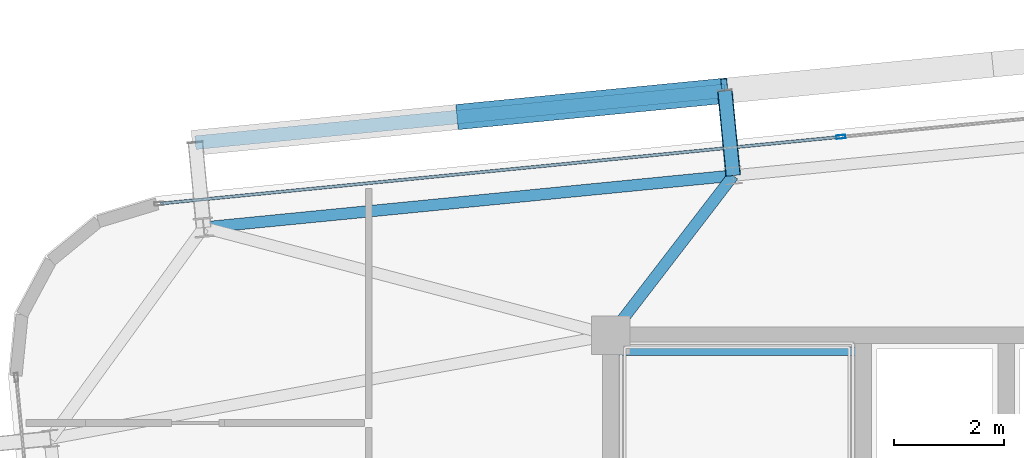
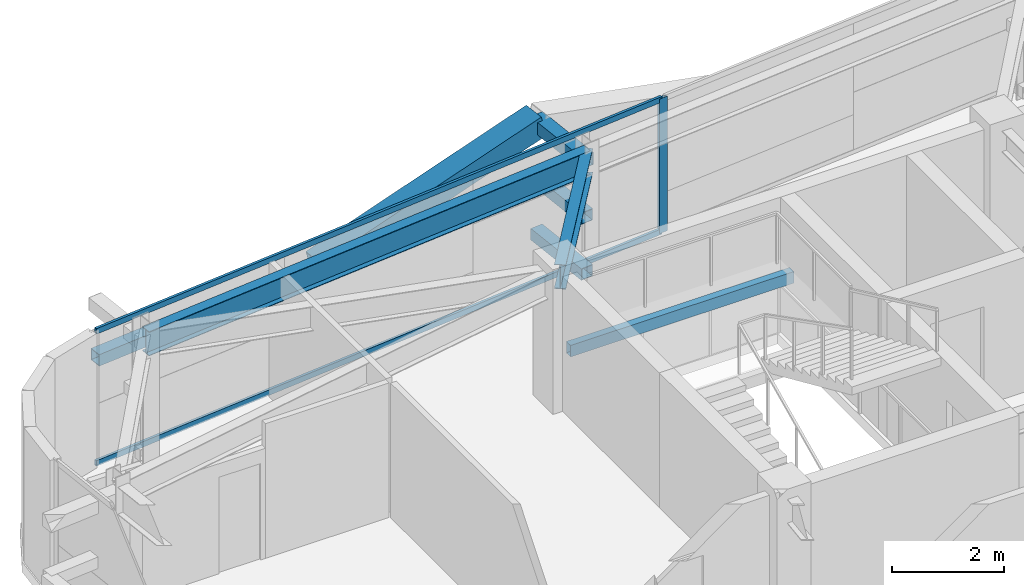
# One storey, part 25 of 47: 8 members, 3 beams, 1 element without a shape of its own.
"""IFC4 building model written with IfcOpenShell, lengths in metres."""

from ifc_helpers import new_model, si_unit, direction, frame, origin, origin_2d, place, context, subcontext, project, spatial, hollow_rectangle, i_section, extrude, source, transform, mapped, material, layer, layer_set, material_profile, profile_set, type_object, element, aggregate, save


model = new_model("IFC4")

# Units and contexts
model_context = context("Model", 3, precision=1e-05, world=origin(), true_north=direction((0.0, 1.0)))
body_context = subcontext(model_context, "Body", "Model", "MODEL_VIEW")
ifc_project = project(units=[si_unit("LENGTHUNIT", "METRE"), si_unit("AREAUNIT", "SQUARE_METRE"), si_unit("VOLUMEUNIT", "CUBIC_METRE"), si_unit("PLANEANGLEUNIT", "RADIAN"), si_unit("MASSUNIT", "GRAM", prefix="KILO")], contexts=[model_context])

# Site, building, storey
site_placement = place(None, origin())
site = spatial("IfcSite", under=ifc_project, at=site_placement, CompositionType="ELEMENT")
building_placement = place(site_placement, origin())
building = spatial("IfcBuilding", under=site, at=building_placement, Name="Taldren Reach Tower", CompositionType="ELEMENT")
storey_placement = place(building_placement, frame((0.0, 0.0, 106.050048828125)))
storey = spatial("IfcBuildingStorey", under=building, at=storey_placement, Name="L32", CompositionType="ELEMENT", Elevation=106.050048828125)

# Beams
ifc_material_1 = material(Name="Steel Gr 350 (350PLUS)", Category="steel")
ifc_material_profile_1 = material_profile(ifc_material_1, i_section(OverallWidth=0.208984375, OverallDepth=0.528076171875, WebThickness=0.009521484375, FlangeThickness=0.01318359375, at=origin_2d()), Name="530UB82.0")
ifc_profile_set_1 = profile_set([ifc_material_profile_1], Name="Steel Gr 350 (350PLUS)")
beam_type_1 = type_object("IfcBeamType", Name="SP-UB530B", PredefinedType="SPANDREL", material=ifc_profile_set_1)
shared_shape_1 = source(origin(), body_context, "Body", "SweptSolid", [
    extrude(i_section(OverallWidth=0.208984375, OverallDepth=0.528076171875, WebThickness=0.009521484375, FlangeThickness=0.01318359375, at=origin_2d()), origin(), (0.0, 0.0, 1.0), 9.679931640625),
])
beam_1_placement = place(storey_placement, frame((21.230712890625, 34.9013671875, 2.666015625), z_axis=(-0.995227612658, -0.097580730699, 0.0), x_axis=(0.097580730699, -0.995227612658, 0.0)))
element("IfcBeam", 1, at=beam_1_placement, inside=storey, type_object=beam_type_1, Name="Perimeter spandrel B2 N2-N1 L32", PredefinedType="SPANDREL", context=body_context, shape_type="MappedRepresentation", body=[
    mapped(shared_shape_1, transform((0.0, 0.0, 0.0), scale=1.0)),
])
ifc_material_profile_2 = material_profile(ifc_material_1, i_section(OverallWidth=0.208984375, OverallDepth=0.532958984375, WebThickness=0.01025390625, FlangeThickness=0.015625, at=origin_2d()), Name="530UB92.4")
ifc_profile_set_2 = profile_set([ifc_material_profile_2], Name="Steel Gr 350 (350PLUS)")
beam_type_2 = type_object("IfcBeamType", Name="BM-UB530A", PredefinedType="BEAM", material=ifc_profile_set_2)
shared_shape_2 = source(origin(), body_context, "Body", "SweptSolid", [
    extrude(i_section(OverallWidth=0.208984375, OverallDepth=0.532958984375, WebThickness=0.01025390625, FlangeThickness=0.015625, at=origin_2d()), origin(), (0.0, 0.0, 1.0), 3.65966796875),
])
beam_2_placement = place(storey_placement, frame((19.0, 32.0, 2.663330078125), z_axis=(0.609520535722, 0.792770279799, 0.0), x_axis=(-0.792770279799, 0.609520535722, 0.0)))
element("IfcBeam", 2, at=beam_2_placement, inside=storey, type_object=beam_type_2, Name="Primary floor girder B2-N2 L32", PredefinedType="BEAM", context=body_context, shape_type="MappedRepresentation", body=[
    mapped(shared_shape_2, transform((0.0, 0.0, 0.0), scale=1.0)),
])

# Members
ifc_material_2 = material(Name="Steel Gr 450 (C450L0)", Category="steel")
ifc_material_profile_3 = material_profile(ifc_material_2, hollow_rectangle(XDim=0.27490234375, YDim=0.27490234375, WallThickness=0.00927734375, at=origin_2d()), Name="275x275x9.3SHS")
ifc_profile_set_3 = profile_set([ifc_material_profile_3], Name="Steel Gr 450 (C450L0)")
member_type_1 = type_object("IfcMemberType", Name="MB-TIE273", PredefinedType="STRUT", material=ifc_profile_set_3)
shared_shape_3 = source(origin(), body_context, "Body", "SweptSolid", [
    extrude(hollow_rectangle(XDim=0.27490234375, YDim=0.27490234375, WallThickness=0.00927734375, at=origin_2d()), origin(), (0.0, 0.0, 1.0), 1.550048828125),
])
member_1_placement = place(storey_placement, frame((21.230712890625, 34.9013671875, 2.64990234375), z_axis=(-0.097647892962, 0.9952210252, 0.0), x_axis=(-0.9952210252, -0.097647892962, 0.0)))
element("IfcMember", 3, at=member_1_placement, inside=storey, type_object=member_type_1, Name="Exoskeleton diaphragm tie strut B2-N2 L32", PredefinedType="STRUT", context=body_context, shape_type="MappedRepresentation", body=[
    mapped(shared_shape_3, transform((0.0, 0.0, 0.0), scale=1.0)),
])
ifc_material_profile_4 = material_profile(ifc_material_2, hollow_rectangle(XDim=0.4599609375, YDim=0.4599609375, WallThickness=0.01611328125, at=origin_2d()), Name="460x460x16.0SHS")
ifc_profile_set_4 = profile_set([ifc_material_profile_4], Name="Steel Gr 450 (C450L0)")
member_type_2 = type_object("IfcMemberType", Name="MB-EXO457", PredefinedType="BRACE", material=ifc_profile_set_4)
shared_shape_4 = source(origin(), body_context, "Body", "SweptSolid", [
    extrude(hollow_rectangle(XDim=0.4599609375, YDim=0.4599609375, WallThickness=0.01611328125, at=origin_2d()), origin(), (0.0, 0.0, 1.0), 4.990234375),
])
member_2_placement = place(storey_placement, frame((16.262451171875, 35.9716796875, 1.43505859375), z_axis=(0.965282554799, 0.094669120301, 0.243448859234), x_axis=(-0.097605711627, 0.995225162995, 0.0)))
element("IfcMember", 4, at=member_2_placement, inside=storey, type_object=member_type_2, Name="Exoskeleton Diagrid Brace B2-N1 L32", PredefinedType="BRACE", context=body_context, shape_type="MappedRepresentation", body=[
    mapped(shared_shape_4, transform((0.0, 0.0, 0.0), scale=1.0)),
])
ifc_material_3 = material(Name="Steel Gr 350 (C350L0)", Category="steel")
ifc_material_profile_5 = material_profile(ifc_material_3, hollow_rectangle(XDim=0.25, YDim=0.25, WallThickness=0.010009765625, at=origin_2d()), Name="250x250x10.0SHS")
ifc_profile_set_5 = profile_set([ifc_material_profile_5], Name="Steel Gr 350 (C350L0)")
member_type_3 = type_object("IfcMemberType", Name="MB-POST250", PredefinedType="POST", material=ifc_profile_set_5)
shared_shape_5 = source(origin(), body_context, "Body", "SweptSolid", [
    extrude(hollow_rectangle(XDim=0.25, YDim=0.25, WallThickness=0.010009765625, at=origin_2d()), origin(), (0.0, 0.0, 1.0), 9.679931640625),
])
member_3_placement = place(storey_placement, frame((11.445556640625, 35.49951171875, 1.43505859375), z_axis=(0.995227612658, 0.097580730699, 0.0), x_axis=(-0.097580730699, 0.995227612658, 0.0)))
element("IfcMember", 5, at=member_3_placement, inside=storey, type_object=member_type_3, Name="Exoskeleton mid-height ring chord B2-N1 L32", PredefinedType="POST", context=body_context, shape_type="MappedRepresentation", body=[
    mapped(shared_shape_5, transform((0.0, 0.0, 0.0), scale=1.0)),
])
shared_shape_6 = source(origin(), body_context, "Body", "SweptSolid", [
    extrude(hollow_rectangle(XDim=0.25, YDim=0.25, WallThickness=0.010009765625, at=origin_2d()), origin(), (0.0, 0.0, 1.0), 1.550048828125),
])
for number, where, z_axis, x_axis, name in (
    (6, (21.230712890625, 34.9013671875, 0.219970703125), (-0.097647892962, 0.9952210252, 0.0), (-0.9952210252, -0.097647892962, 0.0), "Exoskeleton base diaphragm tie strut B2-N2 L32"),
    (7, (21.230712890625, 34.9013671875, 1.43505859375), (-0.097647892962, 0.9952210252, 0.0), (-0.9952210252, -0.097647892962, 0.0), "Exoskeleton mid-tier diaphragm tie B2-N2 L32"),
):
    element("IfcMember", number, at=place(storey_placement, frame(where, z_axis=z_axis, x_axis=x_axis)), inside=storey, type_object=member_type_3, Name=name, PredefinedType="POST", context=body_context, shape_type="MappedRepresentation", body=[
        mapped(shared_shape_6, transform((0.0, 0.0, 0.0), scale=1.0)),
    ])

# Curtain wall, members
ifc_material_4 = material(Name="Aluminium and Low-E Glass Unitised System", Category="aluminium")
ifc_layer = layer(ifc_material_4, 0.159912109375)
ifc_layer_set = layer_set([ifc_layer], Name="Aluminium and Low-E Glass Unitised System")
curtain_wall_type = type_object("IfcCurtainWallType", Name="CW-SYS-3", PredefinedType="NOTDEFINED", material=ifc_layer_set)
curtain_wall_placement = place(storey_placement, origin())
curtain_wall = element("IfcCurtainWall", 8, at=curtain_wall_placement, inside=storey, type_object=curtain_wall_type, Name="Unitised curtain wall CW-L32-N", PredefinedType="NOTDEFINED")
ifc_material_5 = material(Name="Anodised Aluminium 6063-T6", Category="aluminium")
ifc_material_profile_6 = material_profile(ifc_material_5, hollow_rectangle(XDim=0.06494140625, YDim=0.1650390625, WallThickness=0.00390625, at=origin_2d()), Name="ALU-165x65x4RHS")
ifc_profile_set_6 = profile_set([ifc_material_profile_6], Name="Anodised Aluminium 6063-T6")
member_type_4 = type_object("IfcMemberType", Name="CW-MUL-165", PredefinedType="MULLION", material=ifc_profile_set_6)
shared_shape_7 = source(origin(), body_context, "Body", "SweptSolid", [
    extrude(hollow_rectangle(XDim=0.06494140625, YDim=0.1650390625, WallThickness=0.00390625, at=origin_2d()), origin(), (0.0, 0.0, 1.0), 2.929931640625),
])
member_4_placement = place(storey_placement, frame((23.191162109375, 35.606201171875, 0.0), z_axis=(0.0, 0.0, 1.0), x_axis=(0.097582999046, -0.995227390247, 0.0)))
member_4 = element("IfcMember", 9, at=member_4_placement, type_object=member_type_4, Name="CW-3 mullion 4", PredefinedType="MULLION", context=body_context, shape_type="MappedRepresentation", body=[
    mapped(shared_shape_7, transform((0.0, 0.0, 0.0), scale=1.0)),
])
ifc_material_profile_7 = material_profile(ifc_material_5, hollow_rectangle(XDim=0.054931640625, YDim=0.1201171875, WallThickness=0.0029296875, at=origin_2d()), Name="ALU-120x55x3RHS")
ifc_profile_set_7 = profile_set([ifc_material_profile_7], Name="Anodised Aluminium 6063-T6")
member_type_5 = type_object("IfcMemberType", Name="CW-TRN-135", PredefinedType="USERDEFINED", material=ifc_profile_set_7)
shared_shape_8 = source(origin(), body_context, "Body", "SweptSolid", [
    extrude(hollow_rectangle(XDim=0.054931640625, YDim=0.1201171875, WallThickness=0.0029296875, at=origin_2d()), origin(), (0.0, 0.0, 1.0), 12.40234375),
])
member_5_placement = place(storey_placement, frame((23.158935546875, 35.60302734375, 0.02734375), z_axis=(-0.995227887927, -0.097577923186, 0.0), x_axis=(0.097577923186, -0.995227887927, 0.0)))
member_5 = element("IfcMember", 10, at=member_5_placement, type_object=member_type_5, Name="CW-3 transom 4.1", ObjectType="TRANSOM", PredefinedType="USERDEFINED", context=body_context, shape_type="MappedRepresentation", body=[
    mapped(shared_shape_8, transform((0.0, 0.0, 0.0), scale=1.0)),
])
member_6_placement = place(storey_placement, frame((23.158935546875, 35.60302734375, 2.90234375), z_axis=(-0.995227887927, -0.097577923186, 0.0), x_axis=(0.097577923186, -0.995227887927, 0.0)))
member_6 = element("IfcMember", 11, at=member_6_placement, type_object=member_type_5, Name="CW-3 transom 4.2", ObjectType="TRANSOM", PredefinedType="USERDEFINED", context=body_context, shape_type="MappedRepresentation", body=[
    mapped(shared_shape_8, transform((0.0, 0.0, 0.0), scale=1.0)),
])
aggregate(curtain_wall, [member_4, member_5, member_6])

# Beam
ifc_material_profile_8 = material_profile(ifc_material_3, hollow_rectangle(XDim=0.14990234375, YDim=0.25, WallThickness=0.009033203125, at=origin_2d()), Name="250x150x9.0RHS")
ifc_profile_set_8 = profile_set([ifc_material_profile_8], Name="Steel Gr 350 (C350L0)")
beam_type_3 = type_object("IfcBeamType", Name="LN-RHS250", PredefinedType="LINTEL", material=ifc_profile_set_8)
shared_shape_9 = source(origin(), body_context, "Body", "SweptSolid", [
    extrude(hollow_rectangle(XDim=0.14990234375, YDim=0.25, WallThickness=0.009033203125, at=origin_2d()), origin(), (0.0, 0.0, 1.0), 4.60009765625),
])
beam_3_placement = place(storey_placement, frame((19.0, 31.699951171875, 1.27001953125), z_axis=(1.0, 0.0, 0.0), x_axis=(0.0, 1.0, 0.0)))
element("IfcBeam", 12, at=beam_3_placement, inside=storey, type_object=beam_type_3, Name="Stair half-landing support beam ST1-L32-2", PredefinedType="LINTEL", context=body_context, shape_type="MappedRepresentation", body=[
    mapped(shared_shape_9, transform((0.0, 0.0, 0.0), scale=1.0)),
])

save(model, "model.ifc")
